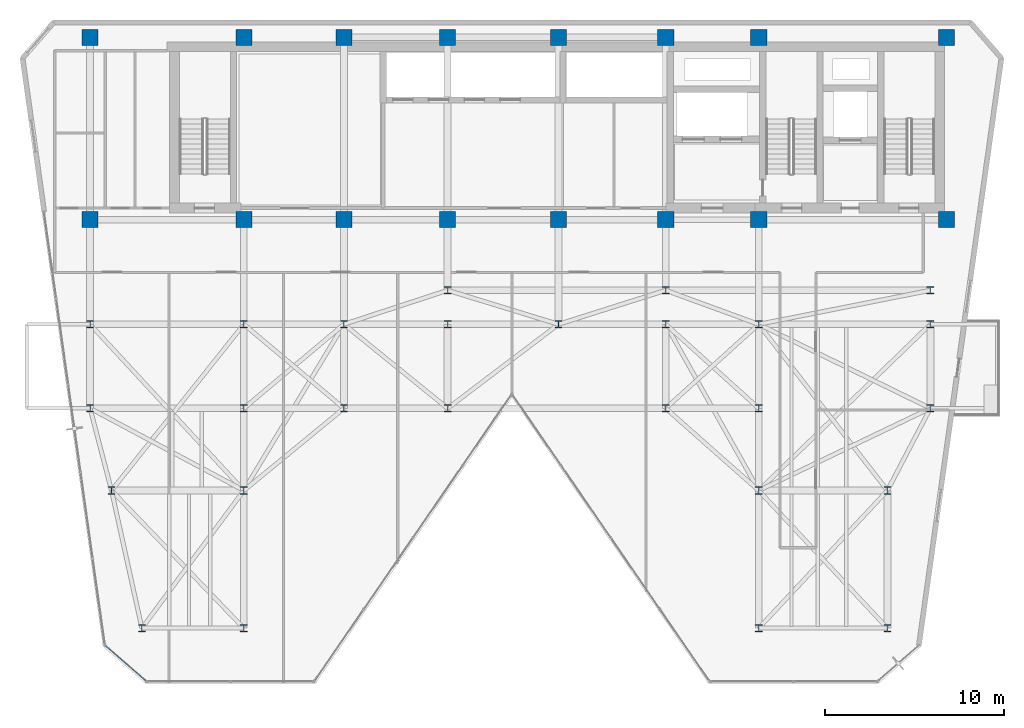
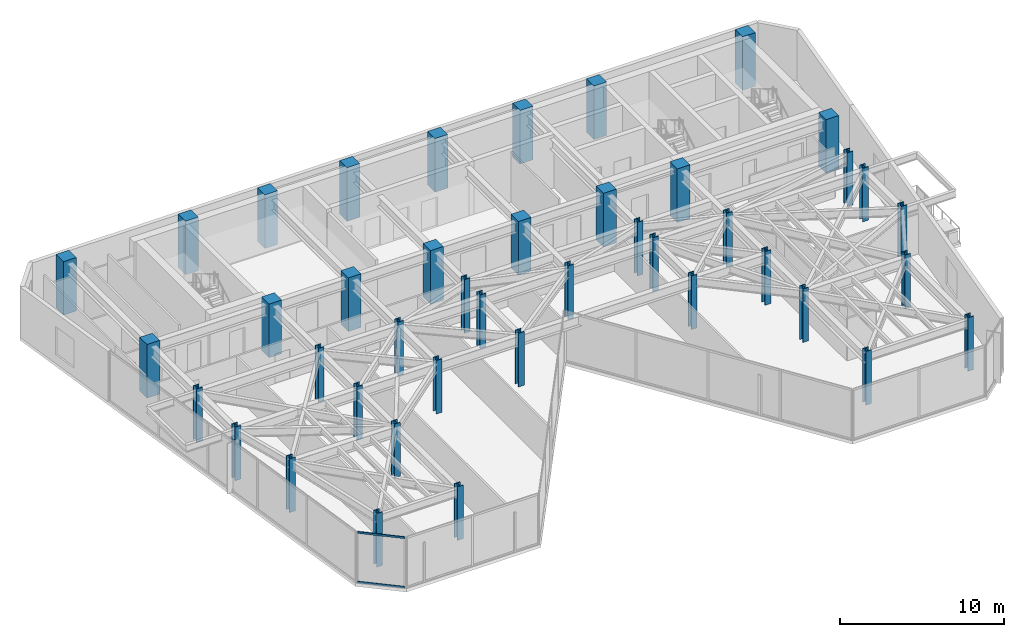
# One storey, part 1 of 26: 42 columns, 2 members, 1 element without a shape of its own.
"""IFC4 building model written with IfcOpenShell, lengths in metres."""

from ifc_helpers import new_model, si_unit, direction, frame, origin, origin_2d, place, context, subcontext, project, spatial, rectangle, hollow_rectangle, i_section, extrude, material, layer, layer_set, material_profile, profile_set, type_object, element, aggregate, save


model = new_model("IFC4")

# Units and contexts
model_context = context("Model", 3, precision=1e-05, world=origin(), true_north=direction((0.0, 1.0)))
body_context = subcontext(model_context, "Body", "Model", "MODEL_VIEW")
ifc_project = project(units=[si_unit("LENGTHUNIT", "METRE"), si_unit("AREAUNIT", "SQUARE_METRE"), si_unit("VOLUMEUNIT", "CUBIC_METRE"), si_unit("PLANEANGLEUNIT", "RADIAN"), si_unit("MASSUNIT", "GRAM", prefix="KILO")], contexts=[model_context])

# Site, building, storey
site_placement = place(None, origin())
site = spatial("IfcSite", under=ifc_project, at=site_placement, CompositionType="ELEMENT")
building_placement = place(site_placement, origin())
building = spatial("IfcBuilding", under=site, at=building_placement, Name="Kravanh Interchange Tower", CompositionType="ELEMENT")
storey_placement = place(building_placement, frame((0.0, 0.0, 180.5)))
storey = spatial("IfcBuildingStorey", under=building, at=storey_placement, Name="L43", CompositionType="ELEMENT", Elevation=180.5)

# Columns
ifc_material_1 = material(Name="Concrete C60/75", Category="concrete")
ifc_material_profile_1 = material_profile(ifc_material_1, rectangle(XDim=0.89990234375, YDim=0.89990234375, at=origin_2d()), Name="RC900X900")
ifc_profile_set_1 = profile_set([ifc_material_profile_1], Name="Concrete C60/75")
column_type_1 = type_object("IfcColumnType", Name="Column RC900X900 Concrete C60/75", PredefinedType="COLUMN", material=ifc_profile_set_1)
for number, where, z_axis, x_axis, name in (
    (1, (66.5, 47.550048828125, 0.0), (0.0, 0.0, 1.0), (1.0, 0.0, 0.0), "L43 Column CS01"),
    (2, (56.0, 47.550048828125, 0.0), (0.0, 0.0, 1.0), (1.0, 0.0, 0.0), "L43 Column CS02"),
    (3, (66.5, 37.35009765625, 0.0), (0.0, 0.0, 1.0), (1.0, 0.0, 0.0), "L43 Column CS03"),
    (4, (56.0, 37.35009765625, 0.0), (0.0, 0.0, 1.0), (1.0, 0.0, 0.0), "L43 Column CS04"),
    (5, (50.800048828125, 47.550048828125, 0.0), (0.0, 0.0, 1.0), (1.0, 0.0, 0.0), "L43 Column CS05"),
    (6, (50.800048828125, 37.35009765625, 0.0), (0.0, 0.0, 1.0), (1.0, 0.0, 0.0), "L43 Column CS06"),
    (7, (44.800048828125, 37.35009765625, 0.0), (0.0, 0.0, 1.0), (1.0, 0.0, 0.0), "L43 Column CS07"),
    (8, (44.800048828125, 47.550048828125, 0.0), (0.0, 0.0, 1.0), (1.0, 0.0, 0.0), "L43 Column CS08"),
    (9, (38.60009765625, 37.35009765625, 0.0), (0.0, 0.0, 1.0), (1.0, 0.0, 0.0), "L43 Column CS09"),
    (10, (38.60009765625, 47.550048828125, 0.0), (0.0, 0.0, 1.0), (1.0, 0.0, 0.0), "L43 Column CS10"),
    (11, (32.800048828125, 37.35009765625, 0.0), (0.0, 0.0, 1.0), (1.0, 0.0, 0.0), "L43 Column CS11"),
    (12, (32.800048828125, 47.550048828125, 0.0), (0.0, 0.0, 1.0), (1.0, 0.0, 0.0), "L43 Column CS12"),
    (13, (27.199951171875, 37.35009765625, 0.0), (0.0, 0.0, 1.0), (1.0, 0.0, 0.0), "L43 Column CS13"),
    (14, (27.199951171875, 47.550048828125, 0.0), (0.0, 0.0, 1.0), (1.0, 0.0, 0.0), "L43 Column CS14"),
    (15, (18.60009765625, 37.35009765625, 0.0), (0.0, 0.0, 1.0), (1.0, 0.0, 0.0), "L43 Column CS17"),
    (16, (18.60009765625, 47.550048828125, 0.0), (0.0, 0.0, 1.0), (1.0, 0.0, 0.0), "L43 Column CS18"),
):
    element("IfcColumn", number, at=place(storey_placement, frame(where, z_axis=z_axis, x_axis=x_axis)), inside=storey, type_object=column_type_1, Name=name, PredefinedType="COLUMN", context=body_context, shape_type="SweptSolid", body=[
        extrude(rectangle(XDim=0.89990234375, YDim=0.89990234375, at=origin_2d()), origin(), (0.0, 0.0, 1.0), 4.0),
    ])
ifc_material_2 = material(Name="Structural Steel S355", Category="steel")
ifc_material_profile_2 = material_profile(ifc_material_2, i_section(OverallWidth=0.408935546875, OverallDepth=0.425048828125, WebThickness=0.03271484375, FlangeThickness=0.052490234375, FilletRadius=0.030029296875, at=origin_2d()), Name="W14X283")
ifc_profile_set_2 = profile_set([ifc_material_profile_2], Name="Structural Steel S355")
column_type_2 = type_object("IfcColumnType", Name="Column W14X283 Structural Steel S355", PredefinedType="COLUMN", material=ifc_profile_set_2)
for number, where, z_axis, x_axis, name in (
    (17, (21.5, 14.5, 0.0), (0.0, 0.0, 1.0), (1.0, 0.0, 0.0), "L43 Column CZ3_1"),
    (18, (18.60009765625, 26.800048828125, 0.0), (0.0, 0.0, 1.0), (1.0, 0.0, 0.0), "L43 Column CZ3_11"),
    (19, (27.199951171875, 26.800048828125, 0.0), (0.0, 0.0, 1.0), (1.0, 0.0, 0.0), "L43 Column CZ3_12"),
    (20, (32.800048828125, 26.800048828125, 0.0), (0.0, 0.0, 1.0), (1.0, 0.0, 0.0), "L43 Column CZ3_13"),
    (21, (38.60009765625, 26.800048828125, 0.0), (0.0, 0.0, 1.0), (1.0, 0.0, 0.0), "L43 Column CZ3_13B"),
    (22, (50.800048828125, 26.800048828125, 0.0), (0.0, 0.0, 1.0), (1.0, 0.0, 0.0), "L43 Column CZ3_14"),
    (23, (56.0, 26.800048828125, 0.0), (0.0, 0.0, 1.0), (1.0, 0.0, 0.0), "L43 Column CZ3_15"),
    (24, (65.60009765625, 26.800048828125, 0.0), (0.0, 0.0, 1.0), (1.0, 0.0, 0.0), "L43 Column CZ3_16"),
    (25, (18.60009765625, 31.5, 0.0), (0.0, 0.0, 1.0), (1.0, 0.0, 0.0), "L43 Column CZ3_17"),
    (26, (27.199951171875, 31.5, 0.0), (0.0, 0.0, 1.0), (1.0, 0.0, 0.0), "L43 Column CZ3_18"),
    (27, (32.800048828125, 31.5, 0.0), (0.0, 0.0, 1.0), (1.0, 0.0, 0.0), "L43 Column CZ3_19"),
    (28, (27.199951171875, 14.5, 0.0), (0.0, 0.0, 1.0), (1.0, 0.0, 0.0), "L43 Column CZ3_2"),
    (29, (38.60009765625, 31.5, 0.0), (0.0, 0.0, 1.0), (1.0, 0.0, 0.0), "L43 Column CZ3_20"),
    (30, (44.800048828125, 31.5, 0.0), (0.0, 0.0, 1.0), (1.0, 0.0, 0.0), "L43 Column CZ3_21"),
    (31, (50.800048828125, 31.5, 0.0), (0.0, 0.0, 1.0), (1.0, 0.0, 0.0), "L43 Column CZ3_22"),
    (32, (56.0, 31.5, 0.0), (0.0, 0.0, 1.0), (1.0, 0.0, 0.0), "L43 Column CZ3_23"),
    (33, (65.60009765625, 31.5, 0.0), (0.0, 0.0, 1.0), (1.0, 0.0, 0.0), "L43 Column CZ3_24"),
    (34, (56.0, 14.5, 0.0), (0.0, 0.0, 1.0), (1.0, 0.0, 0.0), "L43 Column CZ3_3"),
    (35, (63.199951171875, 14.5, 0.0), (0.0, 0.0, 1.0), (1.0, 0.0, 0.0), "L43 Column CZ3_4"),
    (36, (19.800048828125, 22.199951171875, 0.0), (0.0, 0.0, 1.0), (1.0, 0.0, 0.0), "L43 Column CZ3_5"),
    (37, (27.199951171875, 22.199951171875, 0.0), (0.0, 0.0, 1.0), (1.0, 0.0, 0.0), "L43 Column CZ3_6"),
    (38, (56.0, 22.199951171875, 0.0), (0.0, 0.0, 1.0), (1.0, 0.0, 0.0), "L43 Column CZ3_8"),
    (39, (63.199951171875, 22.199951171875, 0.0), (0.0, 0.0, 1.0), (1.0, 0.0, 0.0), "L43 Column CZ3_9"),
    (40, (38.60009765625, 33.39990234375, 0.0), (0.0, 0.0, 1.0), (1.0, 0.0, 0.0), "L43 Column CZ3_M1"),
    (41, (50.800048828125, 33.39990234375, 0.0), (0.0, 0.0, 1.0), (1.0, 0.0, 0.0), "L43 Column CZ3_M2"),
    (42, (65.60009765625, 33.39990234375, 0.0), (0.0, 0.0, 1.0), (1.0, 0.0, 0.0), "L43 Column CZ3_M3"),
):
    element("IfcColumn", number, at=place(storey_placement, frame(where, z_axis=z_axis, x_axis=x_axis)), inside=storey, type_object=column_type_2, Name=name, PredefinedType="COLUMN", context=body_context, shape_type="SweptSolid", body=[
        extrude(i_section(OverallWidth=0.408935546875, OverallDepth=0.425048828125, WebThickness=0.03271484375, FlangeThickness=0.052490234375, FilletRadius=0.030029296875, at=origin_2d()), origin(), (0.0, 0.0, 1.0), 4.0),
    ])

# Curtain wall, members
ifc_material_3 = material(Name="Anodised Bronze Aluminium", Category="aluminium")
ifc_layer = layer(ifc_material_3, 0.179931640625)
ifc_layer_set = layer_set([ifc_layer], Name="Unitised Curtain Wall System CW-Z3 Upper Office")
curtain_wall_type = type_object("IfcCurtainWallType", Name="Unitised Curtain Wall System CW-Z3 Upper Office", PredefinedType="NOTDEFINED", material=ifc_layer_set)
curtain_wall_placement = place(storey_placement, origin())
curtain_wall = element("IfcCurtainWall", 43, at=curtain_wall_placement, inside=storey, type_object=curtain_wall_type, Name="L43 Unitised Curtain Wall CW-L43-07", PredefinedType="NOTDEFINED")
ifc_material_4 = material(Name="Anodised Bronze Aluminium", Category="aluminium")
ifc_material_profile_3 = material_profile(ifc_material_4, hollow_rectangle(XDim=0.06005859375, YDim=0.139892578125, WallThickness=0.00390625, at=origin_2d()), Name="ALU60X140X4")
ifc_profile_set_3 = profile_set([ifc_material_profile_3], Name="Anodised Bronze Aluminium")
member_type = type_object("IfcMemberType", Name="Curtain Wall Transom ALU60X140X4 Bronze", PredefinedType="USERDEFINED", material=ifc_profile_set_3)
member_1_placement = place(storey_placement, frame((21.713623046875, 11.559326171875, 0.030029296875), z_axis=(-0.754708504141, 0.656060266879, 0.0), x_axis=(-0.656060266879, -0.754708504141, 0.0)))
member_1 = element("IfcMember", 44, at=member_1_placement, type_object=member_type, Name="CW-Z3 transom 1.1", ObjectType="TRANSOM", PredefinedType="USERDEFINED", context=body_context, shape_type="SweptSolid", body=[
    extrude(hollow_rectangle(XDim=0.06005859375, YDim=0.139892578125, WallThickness=0.00390625, at=origin_2d()), origin(), (0.0, 0.0, 1.0), 2.9599609375),
])
member_2_placement = place(storey_placement, frame((21.713623046875, 11.559326171875, 3.72509765625), z_axis=(-0.754708504141, 0.656060266879, 0.0), x_axis=(-0.656060266879, -0.754708504141, 0.0)))
member_2 = element("IfcMember", 45, at=member_2_placement, type_object=member_type, Name="CW-Z3 transom 1.2", ObjectType="TRANSOM", PredefinedType="USERDEFINED", context=body_context, shape_type="SweptSolid", body=[
    extrude(hollow_rectangle(XDim=0.06005859375, YDim=0.139892578125, WallThickness=0.00390625, at=origin_2d()), origin(), (0.0, 0.0, 1.0), 2.9599609375),
])
aggregate(curtain_wall, [member_1, member_2])

save(model, "model.ifc")
